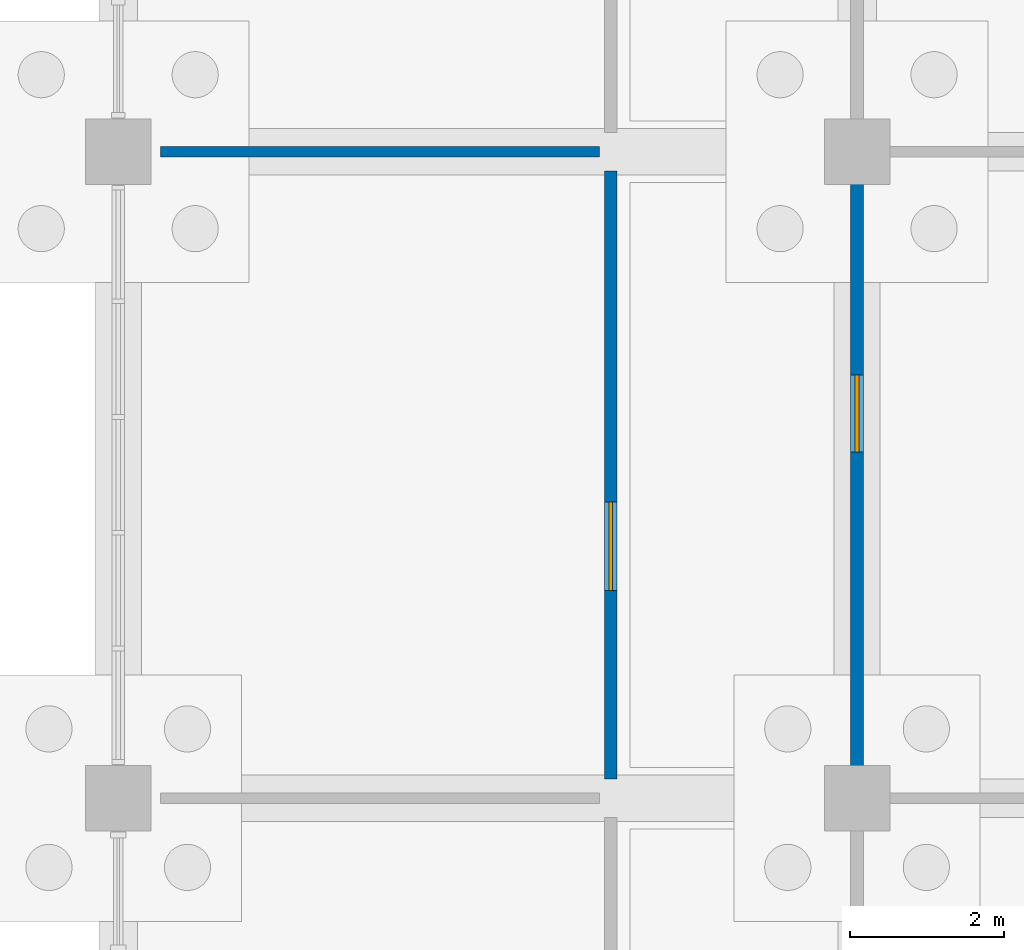
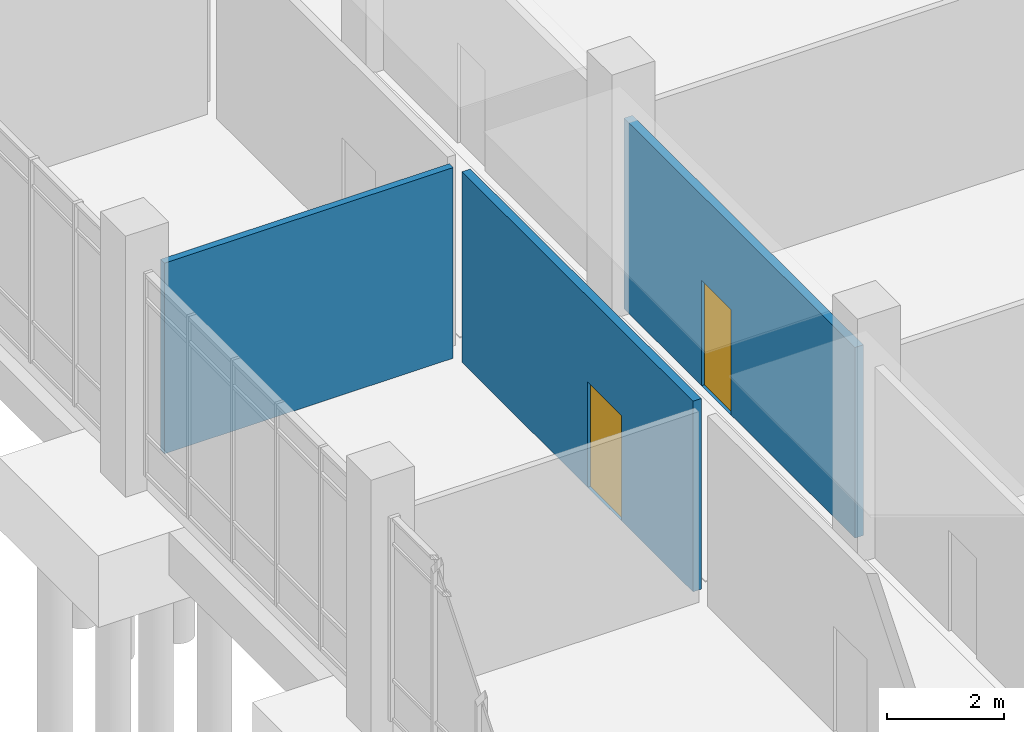
# One storey, part 106 of 136: 3 walls, 2 doors, 2 openings.
"""IFC4 building model written with IfcOpenShell, lengths in metres."""

from ifc_helpers import new_model, si_unit, direction, frame, frame_2d, origin, place, context, subcontext, project, spatial, rectangle, extrude, material, layer, layer_set, type_object, element, fill, save


model = new_model("IFC4")

# Units and contexts
model_context = context("Model", 3, precision=1e-05, world=origin(), true_north=direction((0.0, 1.0)))
body_context = subcontext(model_context, "Body", "Model", "MODEL_VIEW")
ifc_project = project(units=[si_unit("LENGTHUNIT", "METRE"), si_unit("AREAUNIT", "SQUARE_METRE"), si_unit("VOLUMEUNIT", "CUBIC_METRE"), si_unit("PLANEANGLEUNIT", "RADIAN"), si_unit("MASSUNIT", "GRAM", prefix="KILO")], contexts=[model_context])

# Site, building, storey
site_placement = place(None, origin())
site = spatial("IfcSite", under=ifc_project, at=site_placement, CompositionType="ELEMENT")
building_placement = place(site_placement, origin())
building = spatial("IfcBuilding", under=site, at=building_placement, Name="Oolite Switchyard Hospital", CompositionType="ELEMENT")
storey_placement = place(building_placement, origin())
storey = spatial("IfcBuildingStorey", under=building, at=storey_placement, Name="L00", CompositionType="ELEMENT", Elevation=0.0)

# Wall
ifc_material_1 = material(Name="Moisture-resistant gypsum board on steel studs", Category="steel")
ifc_layer_1 = layer(ifc_material_1, 0.135009765625)
ifc_layer_set_1 = layer_set([ifc_layer_1], Name="WAL-PART-135")
wall_type_1 = type_object("IfcWallType", Name="WAL-PART-135", PredefinedType="PARTITIONING", material=ifc_layer_set_1)
wall_1_placement = place(storey_placement, frame((115.75, 58.800048828125, 0.0), z_axis=(0.0, 0.0, 1.0), x_axis=(1.0, 0.0, 0.0)))
element("IfcWall", 1, at=wall_1_placement, inside=storey, type_object=wall_type_1, Name="L00 Interior Partition 62", PredefinedType="PARTITIONING", context=body_context, shape_type="SweptSolid", body=[
    extrude(rectangle(XDim=5.699951171875, YDim=0.135009765625, at=frame_2d((2.85009765625, 0.0))), origin(), (0.0, 0.0, 1.0), 3.97998046875),
])

# Wall, opening, door
ifc_layer_2 = layer(ifc_material_1, 0.1650390625)
ifc_layer_set_2 = layer_set([ifc_layer_2], Name="WAL-PART-165")
wall_type_2 = type_object("IfcWallType", Name="WAL-PART-165", PredefinedType="PARTITIONING", material=ifc_layer_set_2)
wall_2_placement = place(storey_placement, frame((121.60009765625, 50.64990234375, 0.0), z_axis=(0.0, 0.0, 1.0), x_axis=(0.0, 1.0, 0.0)))
wall_2 = element("IfcWall", 2, at=wall_2_placement, inside=storey, type_object=wall_type_2, Name="L00 Interior Partition 57", PredefinedType="PARTITIONING", context=body_context, shape_type="SweptSolid", body=[
    extrude(rectangle(XDim=7.900146484375, YDim=0.1650390625, at=frame_2d((3.9501953125, 0.0))), origin(), (0.0, 0.0, 1.0), 3.97998046875),
])
opening_1_placement = place(wall_2_placement, frame((2.449951171875, 0.0, 0.0)))
opening_1 = element("IfcOpeningElement", 3, at=opening_1_placement, cuts=wall_2, Name="Opening D-0036", PredefinedType="OPENING", context=body_context, shape_type="SweptSolid", body=[
    extrude(rectangle(XDim=1.14990234375, YDim=2.199951171875, at=frame_2d((0.574951171875, 1.10009765625))), frame((0.0, 0.092529296875, 0.0), z_axis=(0.0, -1.0, 0.0), x_axis=(1.0, 0.0, 0.0)), (0.0, 0.0, 1.0), 0.18505859375),
])
ifc_material_2 = material(Name="Solid-core antimicrobial hardwood leaf in steel frame", Category="steel")
door_type_1 = type_object("IfcDoorType", Name="DR-CLIN-115X220", OperationType="NOTDEFINED", PredefinedType="DOOR", material=ifc_material_2)
door_1_placement = place(opening_1_placement, origin())
door_1 = element("IfcDoor", 4, at=door_1_placement, inside=storey, type_object=door_type_1, Name="L00 Interior Door D-0036", OperationType="SINGLE_SWING_LEFT", OverallHeight=2.199951171875, OverallWidth=1.14990234375, PredefinedType="DOOR", context=body_context, shape_type="SweptSolid", body=[
    extrude(rectangle(XDim=1.14990234375, YDim=2.199951171875, at=frame_2d((0.574951171875, 1.10009765625))), frame((0.0, 0.02490234375, 0.0), z_axis=(0.0, -1.0, 0.0), x_axis=(1.0, 0.0, 0.0)), (0.0, 0.0, 1.0), 0.050048828125),
])
fill(opening_1, door_1)

wall_3_placement = place(storey_placement, frame((124.800048828125, 50.64990234375, 0.0), z_axis=(0.0, 0.0, 1.0), x_axis=(0.0, 1.0, 0.0)))
wall_3 = element("IfcWall", 5, at=wall_3_placement, inside=storey, type_object=wall_type_2, Name="L00 Interior Partition 59", PredefinedType="PARTITIONING", context=body_context, shape_type="SweptSolid", body=[
    extrude(rectangle(XDim=7.900146484375, YDim=0.1650390625, at=frame_2d((3.9501953125, 0.0))), origin(), (0.0, 0.0, 1.0), 3.97998046875),
])
opening_2_placement = place(wall_3_placement, frame((4.25, 0.0, 0.0)))
opening_2 = element("IfcOpeningElement", 6, at=opening_2_placement, cuts=wall_3, Name="Opening D-0037", PredefinedType="OPENING", context=body_context, shape_type="SweptSolid", body=[
    extrude(rectangle(XDim=1.0, YDim=2.199951171875, at=frame_2d((0.5, 1.10009765625))), frame((0.0, 0.092529296875, 0.0), z_axis=(0.0, -1.0, 0.0), x_axis=(1.0, 0.0, 0.0)), (0.0, 0.0, 1.0), 0.18505859375),
])
door_type_2 = type_object("IfcDoorType", Name="DR-OFF-100X220", OperationType="NOTDEFINED", PredefinedType="DOOR", material=ifc_material_2)
door_2_placement = place(opening_2_placement, origin())
door_2 = element("IfcDoor", 7, at=door_2_placement, inside=storey, type_object=door_type_2, Name="L00 Interior Door D-0037", OperationType="SINGLE_SWING_RIGHT", OverallHeight=2.199951171875, OverallWidth=1.0, PredefinedType="DOOR", context=body_context, shape_type="SweptSolid", body=[
    extrude(rectangle(XDim=1.0, YDim=2.199951171875, at=frame_2d((0.5, 1.10009765625))), frame((0.0, 0.02490234375, 0.0), z_axis=(0.0, -1.0, 0.0), x_axis=(1.0, 0.0, 0.0)), (0.0, 0.0, 1.0), 0.050048828125),
])
fill(opening_2, door_2)

save(model, "model.ifc")
